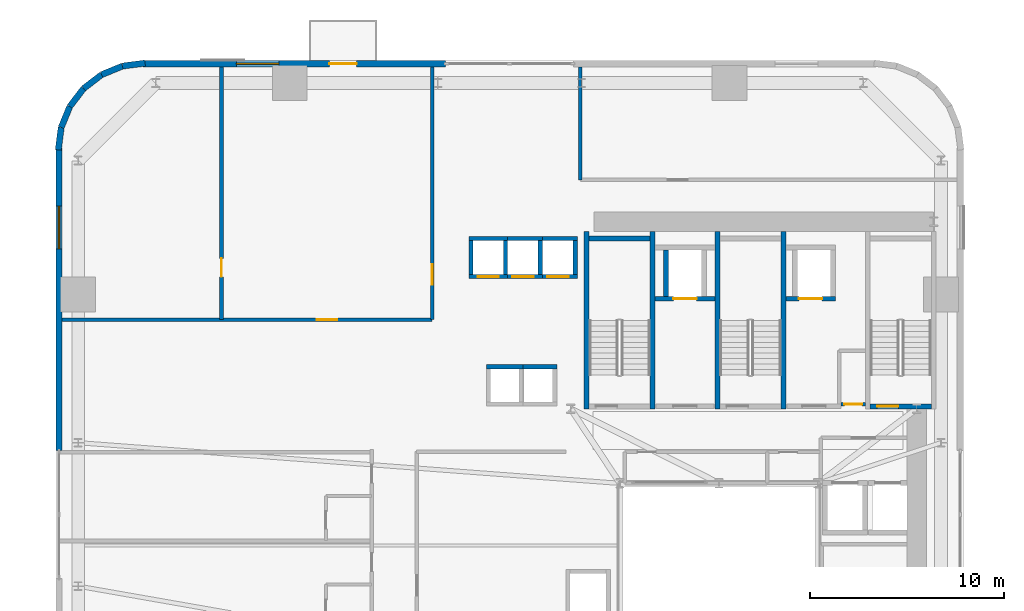
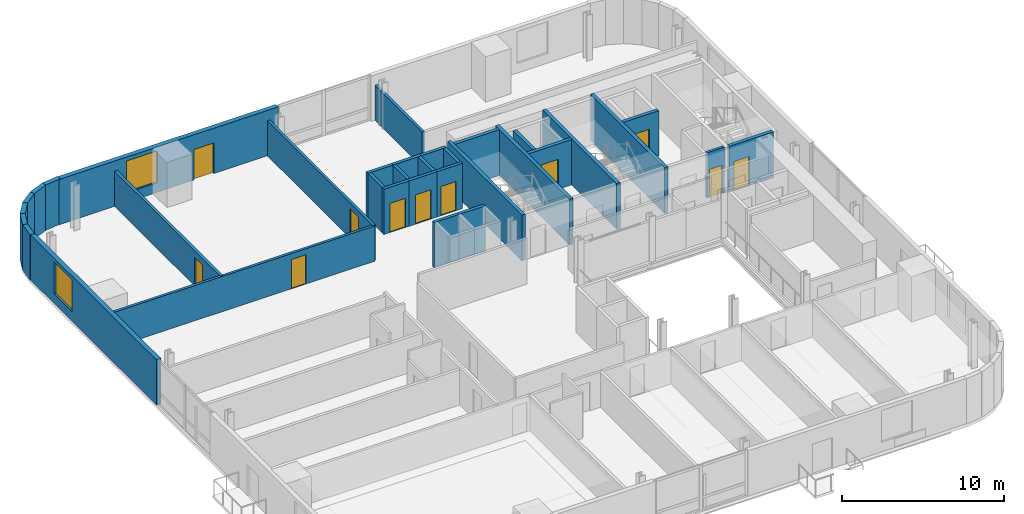
# One storey, part 8 of 13: 34 walls, 11 doors, 2 windows, 13 openings.
"""IFC4 building model written with IfcOpenShell, lengths in metres."""

from ifc_helpers import new_model, si_unit, direction, frame, frame_2d, origin, place, context, subcontext, project, spatial, rectangle, extrude, source, transform, mapped, material, layer, layer_set, type_object, element, fill, save


model = new_model("IFC4")

# Units and contexts
model_context = context("Model", 3, precision=1e-05, world=origin(), true_north=direction((0.0, 1.0)))
body_context = subcontext(model_context, "Body", "Model", "MODEL_VIEW")
ifc_project = project(units=[si_unit("LENGTHUNIT", "METRE"), si_unit("AREAUNIT", "SQUARE_METRE"), si_unit("VOLUMEUNIT", "CUBIC_METRE"), si_unit("PLANEANGLEUNIT", "RADIAN"), si_unit("MASSUNIT", "GRAM", prefix="KILO")], contexts=[model_context])

# Site, building, storey
site_placement = place(None, origin())
site = spatial("IfcSite", under=ifc_project, at=site_placement, CompositionType="ELEMENT")
building_placement = place(site_placement, origin())
building = spatial("IfcBuilding", under=site, at=building_placement, Name="Vardaveli Station Tower", CompositionType="ELEMENT")
storey_placement = place(building_placement, frame((0.0, 0.0, 38.550048828125)))
storey = spatial("IfcBuildingStorey", under=building, at=storey_placement, Name="L09", CompositionType="ELEMENT", Elevation=38.550048828125)

# Wall, openings, door, window
ifc_material_1 = material(Name="Precast concrete C45/55", Category="concrete")
ifc_layer_1 = layer(ifc_material_1, 0.320068359375, Name="Precast concrete C45/55")
ifc_layer_set_1 = layer_set([ifc_layer_1], Name="Precast concrete C45/55")
wall_type_1 = type_object("IfcWallType", Name="WAL-EXT-STONE-320", PredefinedType="SOLIDWALL", material=ifc_layer_set_1)
shared_shape_1 = source(origin(), body_context, "Body", "SweptSolid", [
    extrude(rectangle(XDim=15.599853515625, YDim=0.320068359375, at=frame_2d((7.7998046875, 0.0))), origin(), (0.0, 0.0, 1.0), 3.409912109375),
])
wall_1_placement = place(storey_placement, frame((22.199951171875, 48.43994140625, 0.0), z_axis=(0.0, 0.0, 1.0), x_axis=(-1.0, 0.0, 0.0)))
wall_1 = element("IfcWall", 1, at=wall_1_placement, inside=storey, type_object=wall_type_1, Name="EW-L09-N2", PredefinedType="SOLIDWALL", context=body_context, shape_type="MappedRepresentation", body=[
    mapped(shared_shape_1, transform((0.0, 0.0, 0.0), scale=1.0)),
])
shared_shape_2 = source(origin(), body_context, "Body", "SweptSolid", [
    extrude(rectangle(XDim=1.39990234375, YDim=2.300048828125, at=frame_2d((0.699951171875, 1.14990234375))), frame((0.0, 0.169921875, 0.0), z_axis=(0.0, -1.0, 0.0), x_axis=(1.0, 0.0, 0.0)), (0.0, 0.0, 1.0), 0.340087890625),
])
opening_1_placement = place(wall_1_placement, frame((4.589599609375, 0.0, 0.0)))
opening_1 = element("IfcOpeningElement", 2, at=opening_1_placement, cuts=wall_1, Name="Opening D-09", PredefinedType="OPENING", context=body_context, shape_type="MappedRepresentation", body=[
    mapped(shared_shape_2, transform((0.0, 0.0, 0.0), scale=1.0)),
])
shared_shape_3 = source(origin(), body_context, "Body", "SweptSolid", [
    extrude(rectangle(XDim=2.199951171875, YDim=2.39990234375, at=frame_2d((1.10009765625, 1.199951171875))), frame((0.0, 0.169921875, 0.0), z_axis=(0.0, -1.0, 0.0), x_axis=(1.0, 0.0, 0.0)), (0.0, 0.0, 1.0), 0.340087890625),
])
opening_2_placement = place(wall_1_placement, frame((8.594970703125, 0.0, 0.719970703125)))
opening_2 = element("IfcOpeningElement", 3, at=opening_2_placement, cuts=wall_1, Name="Opening W-03", PredefinedType="OPENING", context=body_context, shape_type="MappedRepresentation", body=[
    mapped(shared_shape_3, transform((0.0, 0.0, 0.0), scale=1.0)),
])
ifc_material_2 = material(Name="Thermally broken aluminium glass", Category="aluminium")
door_type_1 = type_object("IfcDoorType", Name="DR-LOG-1400x2300", OperationType="DOUBLE_DOOR_SLIDING", PredefinedType="DOOR", material=ifc_material_2)
shared_shape_4 = source(origin(), body_context, "Body", "SweptSolid", [
    extrude(rectangle(XDim=1.39990234375, YDim=2.300048828125, at=frame_2d((0.699951171875, 1.14990234375))), frame((0.0, 0.02490234375, 0.0), z_axis=(0.0, -1.0, 0.0), x_axis=(1.0, 0.0, 0.0)), (0.0, 0.0, 1.0), 0.050048828125),
])
door_1_placement = place(opening_1_placement, frame((1.39990234375, 0.0, 0.0), z_axis=(0.0, 0.0, 1.0), x_axis=(-1.0, 0.0, 0.0)))
door_1 = element("IfcDoor", 4, at=door_1_placement, inside=storey, type_object=door_type_1, Name="DLG-L09-N", OperationType="DOUBLE_DOOR_SLIDING", OverallHeight=2.300048828125, OverallWidth=1.39990234375, PredefinedType="DOOR", context=body_context, shape_type="MappedRepresentation", body=[
    mapped(shared_shape_4, transform((0.0, 0.0, 0.0), scale=1.0)),
])
fill(opening_1, door_1)
ifc_material_3 = material(Name="Low-E solar-control glass", Category="glass")
window_type = type_object("IfcWindowType", Name="WIN-LOG-2200x2400", PartitioningType="SINGLE_PANEL", PredefinedType="WINDOW", material=ifc_material_3)
shared_shape_5 = source(origin(), body_context, "Body", "SweptSolid", [
    extrude(rectangle(XDim=2.199951171875, YDim=2.39990234375, at=frame_2d((1.10009765625, 1.199951171875))), frame((0.0, 0.030029296875, 0.0), z_axis=(0.0, -1.0, 0.0), x_axis=(1.0, 0.0, 0.0)), (0.0, 0.0, 1.0), 0.06005859375),
])
window_1_placement = place(opening_2_placement, origin())
window_1 = element("IfcWindow", 5, at=window_1_placement, inside=storey, type_object=window_type, Name="WN-L09-N2", OverallHeight=2.39990234375, OverallWidth=2.199951171875, PartitioningType="SINGLE_PANEL", PredefinedType="WINDOW", context=body_context, shape_type="MappedRepresentation", body=[
    mapped(shared_shape_5, transform((0.0, 0.0, 0.0), scale=1.0)),
])
fill(opening_2, window_1)

# Wall, opening, window
shared_shape_6 = source(origin(), body_context, "Body", "SweptSolid", [
    extrude(rectangle(XDim=15.60009765625, YDim=0.320068359375, at=frame_2d((7.800048828125, 0.0))), origin(), (0.0, 0.0, 1.0), 3.409912109375),
])
wall_2_placement = place(storey_placement, frame((2.260009765625, 44.10009765625, 0.0), z_axis=(0.0, 0.0, 1.0), x_axis=(0.0, -1.0, 0.0)))
wall_2 = element("IfcWall", 6, at=wall_2_placement, inside=storey, type_object=wall_type_1, Name="EW-L09-W1", PredefinedType="SOLIDWALL", context=body_context, shape_type="MappedRepresentation", body=[
    mapped(shared_shape_6, transform((0.0, 0.0, 0.0), scale=1.0)),
])
opening_3_placement = place(wall_2_placement, frame((3.0048828125, 0.0, 0.719970703125)))
opening_3 = element("IfcOpeningElement", 7, at=opening_3_placement, cuts=wall_2, Name="Opening W-03", PredefinedType="OPENING", context=body_context, shape_type="MappedRepresentation", body=[
    mapped(shared_shape_3, transform((0.0, 0.0, 0.0), scale=1.0)),
])
window_2_placement = place(opening_3_placement, origin())
window_2 = element("IfcWindow", 8, at=window_2_placement, inside=storey, type_object=window_type, Name="WN-L09-W1", OverallHeight=2.39990234375, OverallWidth=2.199951171875, PartitioningType="SINGLE_PANEL", PredefinedType="WINDOW", context=body_context, shape_type="MappedRepresentation", body=[
    mapped(shared_shape_5, transform((0.0, 0.0, 0.0), scale=1.0)),
])
fill(opening_3, window_2)

# Walls
shared_shape_7 = source(origin(), body_context, "Body", "SweptSolid", [
    extrude(rectangle(XDim=1.1689453125, YDim=0.320068359375, at=frame_2d((0.58447265625, 0.0))), origin(), (0.0, 0.0, 1.0), 3.409912109375),
])
wall_3_placement = place(storey_placement, frame((3.53125, 47.1689453125, 0.0), z_axis=(0.0, 0.0, 1.0), x_axis=(-0.608387696831, -0.793639975269, 0.0)))
element("IfcWall", 9, at=wall_3_placement, inside=storey, type_object=wall_type_1, Name="EW-L09-CR4-4", PredefinedType="SOLIDWALL", context=body_context, shape_type="MappedRepresentation", body=[
    mapped(shared_shape_7, transform((0.0, 0.0, 0.0), scale=1.0)),
])
shared_shape_8 = source(origin(), body_context, "Body", "SweptSolid", [
    extrude(rectangle(XDim=1.168701171875, YDim=0.320068359375, at=frame_2d((0.58447265625, 0.0))), origin(), (0.0, 0.0, 1.0), 3.409912109375),
])
wall_4_placement = place(storey_placement, frame((4.458740234375, 47.8798828125, 0.0), z_axis=(0.0, 0.0, 1.0), x_axis=(-0.793663520347, -0.608356981114, 0.0)))
element("IfcWall", 10, at=wall_4_placement, inside=storey, type_object=wall_type_1, Name="EW-L09-CR4-3", PredefinedType="SOLIDWALL", context=body_context, shape_type="MappedRepresentation", body=[
    mapped(shared_shape_8, transform((0.0, 0.0, 0.0), scale=1.0)),
])
shared_shape_9 = source(origin(), body_context, "Body", "SweptSolid", [
    extrude(rectangle(XDim=1.17041015625, YDim=0.320068359375, at=frame_2d((0.585205078125, 0.0))), origin(), (0.0, 0.0, 1.0), 3.409912109375),
])
for number, where, z_axis, x_axis, name in (
    (11, (6.700439453125, 48.4755859375, 0.0), (0.0, 0.0, 1.0), (-0.991735963317, -0.128295670475, 0.0), "EW-L09-CR4-1"),
    (12, (2.37451171875, 45.16015625, 0.0), (0.0, 0.0, 1.0), (-0.128295670475, -0.991735963317, 0.0), "EW-L09-CR4-6"),
):
    element("IfcWall", number, at=place(storey_placement, frame(where, z_axis=z_axis, x_axis=x_axis)), inside=storey, type_object=wall_type_1, Name=name, PredefinedType="SOLIDWALL", context=body_context, shape_type="MappedRepresentation", body=[
        mapped(shared_shape_9, transform((0.0, 0.0, 0.0), scale=1.0)),
    ])
shared_shape_10 = source(origin(), body_context, "Body", "SweptSolid", [
    extrude(rectangle(XDim=1.169189453125, YDim=0.320068359375, at=frame_2d((0.58447265625, 0.0))), origin(), (0.0, 0.0, 1.0), 3.409912109375),
])
for number, where, z_axis, x_axis, name in (
    (13, (5.539794921875, 48.325439453125, 0.0), (0.0, 0.0, 1.0), (-0.924552646638, -0.381054331552, 0.0), "EW-L09-CR4-2"),
    (14, (2.820068359375, 46.2412109375, 0.0), (0.0, 0.0, 1.0), (-0.381054331552, -0.924552646638, 0.0), "EW-L09-CR4-5"),
):
    element("IfcWall", number, at=place(storey_placement, frame(where, z_axis=z_axis, x_axis=x_axis)), inside=storey, type_object=wall_type_1, Name=name, PredefinedType="SOLIDWALL", context=body_context, shape_type="MappedRepresentation", body=[
        mapped(shared_shape_10, transform((0.0, 0.0, 0.0), scale=1.0)),
    ])
ifc_material_4 = material(Name="Concrete C40/50", Category="concrete")
ifc_layer_2 = layer(ifc_material_4, 0.25, Name="Concrete C40/50")
ifc_layer_set_2 = layer_set([ifc_layer_2], Name="Concrete C40/50")
wall_type_2 = type_object("IfcWallType", Name="WAL-SHAFT-250", PredefinedType="SOLIDWALL", material=ifc_layer_set_2)
shared_shape_11 = source(origin(), body_context, "Body", "SweptSolid", [
    extrude(rectangle(XDim=9.150146484375, YDim=0.25, at=frame_2d((4.5751953125, 0.0))), origin(), (0.0, 0.0, 1.0), 3.449951171875),
])
for number, where, z_axis, x_axis, name in (
    (15, (29.47509765625, 30.64990234375, 0.0), (0.0, 0.0, 1.0), (0.0, 1.0, 0.0), "W-L09-ST-1W"),
    (16, (32.875, 30.64990234375, 0.0), (0.0, 0.0, 1.0), (0.0, 1.0, 0.0), "W-L09-ST-1E"),
    (17, (36.22509765625, 30.64990234375, 0.0), (0.0, 0.0, 1.0), (0.0, 1.0, 0.0), "W-L09-ST-2W"),
    (18, (39.625, 30.64990234375, 0.0), (0.0, 0.0, 1.0), (0.0, 1.0, 0.0), "W-L09-ST-2E"),
):
    element("IfcWall", number, at=place(storey_placement, frame(where, z_axis=z_axis, x_axis=x_axis)), inside=storey, type_object=wall_type_2, Name=name, PredefinedType="SOLIDWALL", context=body_context, shape_type="MappedRepresentation", body=[
        mapped(shared_shape_11, transform((0.0, 0.0, 0.0), scale=1.0)),
    ])
shared_shape_12 = source(origin(), body_context, "Body", "SweptSolid", [
    extrude(rectangle(XDim=3.14990234375, YDim=0.25, at=frame_2d((1.574951171875, 0.0))), origin(), (0.0, 0.0, 1.0), 3.449951171875),
])
wall_5_placement = place(storey_placement, frame((29.60009765625, 39.425048828125, 0.0), z_axis=(0.0, 0.0, 1.0), x_axis=(1.0, 0.0, 0.0)))
element("IfcWall", 19, at=wall_5_placement, inside=storey, type_object=wall_type_2, Name="W-L09-ST-1N", PredefinedType="SOLIDWALL", context=body_context, shape_type="MappedRepresentation", body=[
    mapped(shared_shape_12, transform((0.0, 0.0, 0.0), scale=1.0)),
])

# Wall, opening, door
wall_6_placement = place(storey_placement, frame((44.10009765625, 30.77490234375, 0.0), z_axis=(0.0, 0.0, 1.0), x_axis=(1.0, 0.0, 0.0)))
wall_6 = element("IfcWall", 20, at=wall_6_placement, inside=storey, type_object=wall_type_2, Name="W-L09-ST-3S", PredefinedType="SOLIDWALL", context=body_context, shape_type="MappedRepresentation", body=[
    mapped(shared_shape_12, transform((0.0, 0.0, 0.0), scale=1.0)),
])
shared_shape_13 = source(origin(), body_context, "Body", "SweptSolid", [
    extrude(rectangle(XDim=1.10009765625, YDim=2.199951171875, at=frame_2d((0.550048828125, 1.10009765625))), frame((0.0, 0.135009765625, 0.0), z_axis=(0.0, -1.0, 0.0), x_axis=(1.0, 0.0, 0.0)), (0.0, 0.0, 1.0), 0.27001953125),
])
opening_4_placement = place(wall_6_placement, frame((0.35009765625, 0.0, 0.0)))
opening_4 = element("IfcOpeningElement", 21, at=opening_4_placement, cuts=wall_6, Name="Opening D-04", PredefinedType="OPENING", context=body_context, shape_type="MappedRepresentation", body=[
    mapped(shared_shape_13, transform((0.0, 0.0, 0.0), scale=1.0)),
])
ifc_material_5 = material(Name="Steel smokeproof fire doorset", Category="steel")
door_type_2 = type_object("IfcDoorType", Name="DR-ST-1100x2200", OperationType="NOTDEFINED", PredefinedType="DOOR", material=ifc_material_5)
shared_shape_14 = source(origin(), body_context, "Body", "SweptSolid", [
    extrude(rectangle(XDim=1.10009765625, YDim=2.199951171875, at=frame_2d((0.550048828125, 1.10009765625))), frame((0.0, 0.02490234375, 0.0), z_axis=(0.0, -1.0, 0.0), x_axis=(1.0, 0.0, 0.0)), (0.0, 0.0, 1.0), 0.050048828125),
])
door_2_placement = place(opening_4_placement, origin())
door_2 = element("IfcDoor", 22, at=door_2_placement, inside=storey, type_object=door_type_2, Name="DST-3-L09", OperationType="SINGLE_SWING_LEFT", OverallHeight=2.199951171875, OverallWidth=1.10009765625, PredefinedType="DOOR", context=body_context, shape_type="MappedRepresentation", body=[
    mapped(shared_shape_14, transform((0.0, 0.0, 0.0), scale=1.0)),
])
fill(opening_4, door_2)

# Walls
ifc_layer_3 = layer(ifc_material_4, 0.219970703125, Name="Concrete C40/50")
ifc_layer_set_3 = layer_set([ifc_layer_3], Name="Concrete C40/50")
wall_type_3 = type_object("IfcWallType", Name="WAL-FFLOBBY-220", PredefinedType="SOLIDWALL", material=ifc_layer_set_3)
shared_shape_15 = source(origin(), body_context, "Body", "SweptSolid", [
    extrude(rectangle(XDim=1.75, YDim=0.219970703125, at=frame_2d((0.875, 0.0))), origin(), (0.0, 0.0, 1.0), 3.409912109375),
])
for number, where, z_axis, x_axis, name in (
    (23, (23.514892578125, 37.574951171875, 0.0), (0.0, 0.0, 1.0), (0.0, 1.0, 0.0), "SHW-HL1-01-L09-W"),
    (24, (25.284912109375, 37.574951171875, 0.0), (0.0, 0.0, 1.0), (0.0, 1.0, 0.0), "SHW-HL1-01-L09-E"),
    (25, (27.0849609375, 37.574951171875, 0.0), (0.0, 0.0, 1.0), (0.0, 1.0, 0.0), "SHW-HL1-02-L09-E"),
    (26, (28.885009765625, 37.574951171875, 0.0), (0.0, 0.0, 1.0), (0.0, 1.0, 0.0), "SHW-HL1-03-L09-E"),
):
    element("IfcWall", number, at=place(storey_placement, frame(where, z_axis=z_axis, x_axis=x_axis)), inside=storey, type_object=wall_type_3, Name=name, PredefinedType="SOLIDWALL", context=body_context, shape_type="MappedRepresentation", body=[
        mapped(shared_shape_15, transform((0.0, 0.0, 0.0), scale=1.0)),
    ])

# Wall, opening, door
shared_shape_16 = source(origin(), body_context, "Body", "SweptSolid", [
    extrude(rectangle(XDim=1.989990234375, YDim=0.219970703125, at=frame_2d((0.9951171875, 0.0))), origin(), (0.0, 0.0, 1.0), 3.409912109375),
])
wall_7_placement = place(storey_placement, frame((23.405029296875, 37.465087890625, 0.0), z_axis=(0.0, 0.0, 1.0), x_axis=(1.0, 0.0, 0.0)))
wall_7 = element("IfcWall", 27, at=wall_7_placement, inside=storey, type_object=wall_type_3, Name="SHW-HL1-01-L09-S", PredefinedType="SOLIDWALL", context=body_context, shape_type="MappedRepresentation", body=[
    mapped(shared_shape_16, transform((0.0, 0.0, 0.0), scale=1.0)),
])
shared_shape_17 = source(origin(), body_context, "Body", "SweptSolid", [
    extrude(rectangle(XDim=1.10009765625, YDim=2.199951171875, at=frame_2d((0.550048828125, 1.10009765625))), frame((0.0, 0.1201171875, 0.0), z_axis=(0.0, -1.0, 0.0), x_axis=(1.0, 0.0, 0.0)), (0.0, 0.0, 1.0), 0.239990234375),
])
opening_5_placement = place(wall_7_placement, frame((0.445068359375, 0.0, 0.0)))
opening_5 = element("IfcOpeningElement", 28, at=opening_5_placement, cuts=wall_7, Name="Opening LD-01", PredefinedType="OPENING", context=body_context, shape_type="MappedRepresentation", body=[
    mapped(shared_shape_17, transform((0.0, 0.0, 0.0), scale=1.0)),
])
ifc_material_6 = material(Name="Brushed stainless steel", Category="steel")
door_type_3 = type_object("IfcDoorType", Name="DR-LD-1100x2200", OperationType="DOUBLE_DOOR_SLIDING", PredefinedType="DOOR", material=ifc_material_6)
door_3_placement = place(opening_5_placement, origin())
door_3 = element("IfcDoor", 29, at=door_3_placement, inside=storey, type_object=door_type_3, Name="LD-HL1-01-L09", OperationType="DOUBLE_DOOR_SLIDING", OverallHeight=2.199951171875, OverallWidth=1.10009765625, PredefinedType="DOOR", context=body_context, shape_type="MappedRepresentation", body=[
    mapped(shared_shape_14, transform((0.0, 0.0, 0.0), scale=1.0)),
])
fill(opening_5, door_3)

# Wall
wall_8_placement = place(storey_placement, frame((23.405029296875, 39.43505859375, 0.0), z_axis=(0.0, 0.0, 1.0), x_axis=(1.0, 0.0, 0.0)))
element("IfcWall", 30, at=wall_8_placement, inside=storey, type_object=wall_type_3, Name="SHW-HL1-01-L09-N", PredefinedType="SOLIDWALL", context=body_context, shape_type="MappedRepresentation", body=[
    mapped(shared_shape_16, transform((0.0, 0.0, 0.0), scale=1.0)),
])

# Wall, opening, door
wall_9_placement = place(storey_placement, frame((25.205078125, 37.465087890625, 0.0), z_axis=(0.0, 0.0, 1.0), x_axis=(1.0, 0.0, 0.0)))
wall_9 = element("IfcWall", 31, at=wall_9_placement, inside=storey, type_object=wall_type_3, Name="SHW-HL1-02-L09-S", PredefinedType="SOLIDWALL", context=body_context, shape_type="MappedRepresentation", body=[
    mapped(shared_shape_16, transform((0.0, 0.0, 0.0), scale=1.0)),
])
opening_6_placement = place(wall_9_placement, frame((0.445068359375, 0.0, 0.0)))
opening_6 = element("IfcOpeningElement", 32, at=opening_6_placement, cuts=wall_9, Name="Opening LD-01", PredefinedType="OPENING", context=body_context, shape_type="MappedRepresentation", body=[
    mapped(shared_shape_17, transform((0.0, 0.0, 0.0), scale=1.0)),
])
door_4_placement = place(opening_6_placement, origin())
door_4 = element("IfcDoor", 33, at=door_4_placement, inside=storey, type_object=door_type_3, Name="LD-HL1-02-L09", OperationType="DOUBLE_DOOR_SLIDING", OverallHeight=2.199951171875, OverallWidth=1.10009765625, PredefinedType="DOOR", context=body_context, shape_type="MappedRepresentation", body=[
    mapped(shared_shape_14, transform((0.0, 0.0, 0.0), scale=1.0)),
])
fill(opening_6, door_4)

# Wall
wall_10_placement = place(storey_placement, frame((25.205078125, 39.43505859375, 0.0), z_axis=(0.0, 0.0, 1.0), x_axis=(1.0, 0.0, 0.0)))
element("IfcWall", 34, at=wall_10_placement, inside=storey, type_object=wall_type_3, Name="SHW-HL1-02-L09-N", PredefinedType="SOLIDWALL", context=body_context, shape_type="MappedRepresentation", body=[
    mapped(shared_shape_16, transform((0.0, 0.0, 0.0), scale=1.0)),
])

# Wall, opening, door
shared_shape_18 = source(origin(), body_context, "Body", "SweptSolid", [
    extrude(rectangle(XDim=1.990234375, YDim=0.219970703125, at=frame_2d((0.9951171875, 0.0))), origin(), (0.0, 0.0, 1.0), 3.409912109375),
])
wall_11_placement = place(storey_placement, frame((27.0048828125, 37.465087890625, 0.0), z_axis=(0.0, 0.0, 1.0), x_axis=(1.0, 0.0, 0.0)))
wall_11 = element("IfcWall", 35, at=wall_11_placement, inside=storey, type_object=wall_type_3, Name="SHW-HL1-03-L09-S", PredefinedType="SOLIDWALL", context=body_context, shape_type="MappedRepresentation", body=[
    mapped(shared_shape_18, transform((0.0, 0.0, 0.0), scale=1.0)),
])
opening_7_placement = place(wall_11_placement, frame((0.445068359375, 0.0, 0.0)))
opening_7 = element("IfcOpeningElement", 36, at=opening_7_placement, cuts=wall_11, Name="Opening LD-01", PredefinedType="OPENING", context=body_context, shape_type="MappedRepresentation", body=[
    mapped(shared_shape_17, transform((0.0, 0.0, 0.0), scale=1.0)),
])
door_5_placement = place(opening_7_placement, origin())
door_5 = element("IfcDoor", 37, at=door_5_placement, inside=storey, type_object=door_type_3, Name="LD-HL1-03-L09", OperationType="DOUBLE_DOOR_SLIDING", OverallHeight=2.199951171875, OverallWidth=1.10009765625, PredefinedType="DOOR", context=body_context, shape_type="MappedRepresentation", body=[
    mapped(shared_shape_14, transform((0.0, 0.0, 0.0), scale=1.0)),
])
fill(opening_7, door_5)

# Wall
wall_12_placement = place(storey_placement, frame((27.0048828125, 39.43505859375, 0.0), z_axis=(0.0, 0.0, 1.0), x_axis=(1.0, 0.0, 0.0)))
element("IfcWall", 38, at=wall_12_placement, inside=storey, type_object=wall_type_3, Name="SHW-HL1-03-L09-N", PredefinedType="SOLIDWALL", context=body_context, shape_type="MappedRepresentation", body=[
    mapped(shared_shape_18, transform((0.0, 0.0, 0.0), scale=1.0)),
])

# Wall, opening, door
shared_shape_19 = source(origin(), body_context, "Body", "SweptSolid", [
    extrude(rectangle(XDim=3.10009765625, YDim=0.25, at=frame_2d((1.550048828125, 0.0))), origin(), (0.0, 0.0, 1.0), 3.409912109375),
])
wall_13_placement = place(storey_placement, frame((33.0, 36.324951171875, 0.0), z_axis=(0.0, 0.0, 1.0), x_axis=(1.0, 0.0, 0.0)))
wall_13 = element("IfcWall", 39, at=wall_13_placement, inside=storey, type_object=wall_type_2, Name="SHW-FFL-01-L09-S", PredefinedType="SOLIDWALL", context=body_context, shape_type="MappedRepresentation", body=[
    mapped(shared_shape_19, transform((0.0, 0.0, 0.0), scale=1.0)),
])
shared_shape_20 = source(origin(), body_context, "Body", "SweptSolid", [
    extrude(rectangle(XDim=1.199951171875, YDim=2.25, at=frame_2d((0.60009765625, 1.125))), frame((0.0, 0.135009765625, 0.0), z_axis=(0.0, -1.0, 0.0), x_axis=(1.0, 0.0, 0.0)), (0.0, 0.0, 1.0), 0.27001953125),
])
opening_8_placement = place(wall_13_placement, frame((0.949951171875, 0.0, 0.0)))
opening_8 = element("IfcOpeningElement", 40, at=opening_8_placement, cuts=wall_13, Name="Opening LD-02", PredefinedType="OPENING", context=body_context, shape_type="MappedRepresentation", body=[
    mapped(shared_shape_20, transform((0.0, 0.0, 0.0), scale=1.0)),
])
door_type_4 = type_object("IfcDoorType", Name="DR-LD-1200x2250", OperationType="DOUBLE_DOOR_SLIDING", PredefinedType="DOOR", material=ifc_material_6)
shared_shape_21 = source(origin(), body_context, "Body", "SweptSolid", [
    extrude(rectangle(XDim=1.199951171875, YDim=2.25, at=frame_2d((0.60009765625, 1.125))), frame((0.0, 0.02490234375, 0.0), z_axis=(0.0, -1.0, 0.0), x_axis=(1.0, 0.0, 0.0)), (0.0, 0.0, 1.0), 0.050048828125),
])
door_6_placement = place(opening_8_placement, origin())
door_6 = element("IfcDoor", 41, at=door_6_placement, inside=storey, type_object=door_type_4, Name="LD-FFL-01-L09", OperationType="DOUBLE_DOOR_SLIDING", OverallHeight=2.25, OverallWidth=1.199951171875, PredefinedType="DOOR", context=body_context, shape_type="MappedRepresentation", body=[
    mapped(shared_shape_21, transform((0.0, 0.0, 0.0), scale=1.0)),
])
fill(opening_8, door_6)

# Wall
shared_shape_22 = source(origin(), body_context, "Body", "SweptSolid", [
    extrude(rectangle(XDim=2.400146484375, YDim=0.25, at=frame_2d((1.2001953125, 0.0))), origin(), (0.0, 0.0, 1.0), 3.409912109375),
])
wall_14_placement = place(storey_placement, frame((33.574951171875, 36.449951171875, 0.0), z_axis=(0.0, 0.0, 1.0), x_axis=(0.0, 1.0, 0.0)))
element("IfcWall", 42, at=wall_14_placement, inside=storey, type_object=wall_type_2, Name="SHW-FFL-01-L09-W", PredefinedType="SOLIDWALL", context=body_context, shape_type="MappedRepresentation", body=[
    mapped(shared_shape_22, transform((0.0, 0.0, 0.0), scale=1.0)),
])

# Wall, opening, door
shared_shape_23 = source(origin(), body_context, "Body", "SweptSolid", [
    extrude(rectangle(XDim=2.550048828125, YDim=0.25, at=frame_2d((1.27490234375, 0.0))), origin(), (0.0, 0.0, 1.0), 3.409912109375),
])
wall_15_placement = place(storey_placement, frame((39.75, 36.324951171875, 0.0), z_axis=(0.0, 0.0, 1.0), x_axis=(1.0, 0.0, 0.0)))
wall_15 = element("IfcWall", 43, at=wall_15_placement, inside=storey, type_object=wall_type_2, Name="SHW-FFL-02-L09-S", PredefinedType="SOLIDWALL", context=body_context, shape_type="MappedRepresentation", body=[
    mapped(shared_shape_23, transform((0.0, 0.0, 0.0), scale=1.0)),
])
opening_9_placement = place(wall_15_placement, frame((0.675048828125, 0.0, 0.0)))
opening_9 = element("IfcOpeningElement", 44, at=opening_9_placement, cuts=wall_15, Name="Opening LD-02", PredefinedType="OPENING", context=body_context, shape_type="MappedRepresentation", body=[
    mapped(shared_shape_20, transform((0.0, 0.0, 0.0), scale=1.0)),
])
door_7_placement = place(opening_9_placement, origin())
door_7 = element("IfcDoor", 45, at=door_7_placement, inside=storey, type_object=door_type_4, Name="LD-FFL-02-L09", OperationType="DOUBLE_DOOR_SLIDING", OverallHeight=2.25, OverallWidth=1.199951171875, PredefinedType="DOOR", context=body_context, shape_type="MappedRepresentation", body=[
    mapped(shared_shape_21, transform((0.0, 0.0, 0.0), scale=1.0)),
])
fill(opening_9, door_7)

# Walls
shared_shape_24 = source(origin(), body_context, "Body", "SweptSolid", [
    extrude(rectangle(XDim=1.89013671875, YDim=0.219970703125, at=frame_2d((0.945068359375, 0.0))), origin(), (0.0, 0.0, 1.0), 3.409912109375),
])
for number, where, z_axis, x_axis, name in (
    (46, (24.304931640625, 32.81005859375, 0.0), (0.0, 0.0, 1.0), (1.0, 0.0, 0.0), "SHW-SHU-01-L09-N"),
    (47, (26.054931640625, 32.81005859375, 0.0), (0.0, 0.0, 1.0), (1.0, 0.0, 0.0), "SHW-SHU-02-L09-N"),
):
    element("IfcWall", number, at=place(storey_placement, frame(where, z_axis=z_axis, x_axis=x_axis)), inside=storey, type_object=wall_type_3, Name=name, PredefinedType="SOLIDWALL", context=body_context, shape_type="MappedRepresentation", body=[
        mapped(shared_shape_24, transform((0.0, 0.0, 0.0), scale=1.0)),
    ])

# Wall, opening, door
ifc_material_7 = material(Name="Fire-rated gypsum stud partition")
ifc_layer_4 = layer(ifc_material_7, 0.179931640625, Name="Fire-rated gypsum stud partition")
ifc_layer_set_4 = layer_set([ifc_layer_4], Name="Fire-rated gypsum stud partition")
wall_type_4 = type_object("IfcWallType", Name="WAL-CORR-180", PredefinedType="PARTITIONING", material=ifc_layer_set_4)
shared_shape_25 = source(origin(), body_context, "Body", "SweptSolid", [
    extrude(rectangle(XDim=19.077880859375, YDim=0.179931640625, at=frame_2d((9.5390625, 0.0))), origin(), (0.0, 0.0, 1.0), 2.65185546875),
])
wall_16_placement = place(storey_placement, frame((2.422119140625, 35.25, 0.0), z_axis=(0.0, 0.0, 1.0), x_axis=(1.0, 0.0, 0.0)))
wall_16 = element("IfcWall", 48, at=wall_16_placement, inside=storey, type_object=wall_type_4, Name="W-L09-CNWS", PredefinedType="PARTITIONING", context=body_context, shape_type="MappedRepresentation", body=[
    mapped(shared_shape_25, transform((0.0, 0.0, 0.0), scale=1.0)),
])
shared_shape_26 = source(origin(), body_context, "Body", "SweptSolid", [
    extrude(rectangle(XDim=1.050048828125, YDim=2.199951171875, at=frame_2d((0.52490234375, 1.10009765625))), frame((0.0, 0.10009765625, 0.0), z_axis=(0.0, -1.0, 0.0), x_axis=(1.0, 0.0, 0.0)), (0.0, 0.0, 1.0), 0.199951171875),
])
opening_10_placement = place(wall_16_placement, frame((13.12890625, 0.0, 0.0)))
opening_10 = element("IfcOpeningElement", 49, at=opening_10_placement, cuts=wall_16, Name="Opening D-05", PredefinedType="OPENING", context=body_context, shape_type="MappedRepresentation", body=[
    mapped(shared_shape_26, transform((0.0, 0.0, 0.0), scale=1.0)),
])
ifc_material_8 = material(Name="Walnut veneer acoustic fire door")
door_type_5 = type_object("IfcDoorType", Name="DR-SUITE-1050x2200", OperationType="NOTDEFINED", PredefinedType="DOOR", material=ifc_material_8)
shared_shape_27 = source(origin(), body_context, "Body", "SweptSolid", [
    extrude(rectangle(XDim=1.050048828125, YDim=2.199951171875, at=frame_2d((0.52490234375, 1.10009765625))), frame((0.0, 0.02490234375, 0.0), z_axis=(0.0, -1.0, 0.0), x_axis=(1.0, 0.0, 0.0)), (0.0, 0.0, 1.0), 0.050048828125),
])
door_8_placement = place(opening_10_placement, origin())
door_8 = element("IfcDoor", 50, at=door_8_placement, inside=storey, type_object=door_type_5, Name="D-L09-GNW2", OperationType="SINGLE_SWING_LEFT", OverallHeight=2.199951171875, OverallWidth=1.050048828125, PredefinedType="DOOR", context=body_context, shape_type="MappedRepresentation", body=[
    mapped(shared_shape_27, transform((0.0, 0.0, 0.0), scale=1.0)),
])
fill(opening_10, door_8)

shared_shape_28 = source(origin(), body_context, "Body", "SweptSolid", [
    extrude(rectangle(XDim=1.247802734375, YDim=0.179931640625, at=frame_2d((0.6240234375, 0.0))), origin(), (0.0, 0.0, 1.0), 3.409912109375),
])
wall_17_placement = place(storey_placement, frame((42.60009765625, 30.8798828125, 0.0), z_axis=(0.0, 0.0, 1.0), x_axis=(1.0, 0.0, 0.0)))
wall_17 = element("IfcWall", 51, at=wall_17_placement, inside=storey, type_object=wall_type_4, Name="W-L09-CBS0-S", PredefinedType="PARTITIONING", context=body_context, shape_type="MappedRepresentation", body=[
    mapped(shared_shape_28, transform((0.0, 0.0, 0.0), scale=1.0)),
])
shared_shape_29 = source(origin(), body_context, "Body", "SweptSolid", [
    extrude(rectangle(XDim=0.919921875, YDim=2.10009765625, at=frame_2d((0.4599609375, 1.050048828125))), frame((0.0, 0.10009765625, 0.0), z_axis=(0.0, -1.0, 0.0), x_axis=(1.0, 0.0, 0.0)), (0.0, 0.0, 1.0), 0.199951171875),
])
opening_11_placement = place(wall_17_placement, frame((0.1640625, 0.0, 0.0)))
opening_11 = element("IfcOpeningElement", 52, at=opening_11_placement, cuts=wall_17, Name="Opening D-07", PredefinedType="OPENING", context=body_context, shape_type="MappedRepresentation", body=[
    mapped(shared_shape_29, transform((0.0, 0.0, 0.0), scale=1.0)),
])
ifc_material_9 = material(Name="Moisture-resistant hardwood door", Category="wood")
door_type_6 = type_object("IfcDoorType", Name="DR-WC-920x2100", OperationType="NOTDEFINED", PredefinedType="DOOR", material=ifc_material_9)
shared_shape_30 = source(origin(), body_context, "Body", "SweptSolid", [
    extrude(rectangle(XDim=0.919921875, YDim=2.10009765625, at=frame_2d((0.4599609375, 1.050048828125))), frame((0.0, 0.02490234375, 0.0), z_axis=(0.0, -1.0, 0.0), x_axis=(1.0, 0.0, 0.0)), (0.0, 0.0, 1.0), 0.050048828125),
])
door_9_placement = place(opening_11_placement, origin())
door_9 = element("IfcDoor", 53, at=door_9_placement, inside=storey, type_object=door_type_6, Name="D-L09-CBS0", OperationType="SINGLE_SWING_LEFT", OverallHeight=2.10009765625, OverallWidth=0.919921875, PredefinedType="DOOR", context=body_context, shape_type="MappedRepresentation", body=[
    mapped(shared_shape_30, transform((0.0, 0.0, 0.0), scale=1.0)),
])
fill(opening_11, door_9)

# Wall
shared_shape_31 = source(origin(), body_context, "Body", "SweptSolid", [
    extrude(rectangle(XDim=5.828125, YDim=0.179931640625, at=frame_2d((2.9140625, 0.0))), origin(), (0.0, 0.0, 1.0), 2.65185546875),
])
wall_18_placement = place(storey_placement, frame((29.14990234375, 42.449951171875, 0.0), z_axis=(0.0, 0.0, 1.0), x_axis=(0.0, 1.0, 0.0)))
element("IfcWall", 54, at=wall_18_placement, inside=storey, type_object=wall_type_4, Name="W-L09-NPW", PredefinedType="PARTITIONING", context=body_context, shape_type="MappedRepresentation", body=[
    mapped(shared_shape_31, transform((0.0, 0.0, 0.0), scale=1.0)),
])

# Wall, opening, door
ifc_material_10 = material(Name="Acoustic twin-stud gypsum partition")
ifc_layer_5 = layer(ifc_material_10, 0.199951171875, Name="Acoustic twin-stud gypsum partition")
ifc_layer_set_5 = layer_set([ifc_layer_5], Name="Acoustic twin-stud gypsum partition")
wall_type_5 = type_object("IfcWallType", Name="WAL-PARTY-200", PredefinedType="PARTITIONING", material=ifc_layer_set_5)
shared_shape_32 = source(origin(), body_context, "Body", "SweptSolid", [
    extrude(rectangle(XDim=13.028076171875, YDim=0.199951171875, at=frame_2d((6.51416015625, 0.0))), origin(), (0.0, 0.0, 1.0), 2.65185546875),
])
wall_19_placement = place(storey_placement, frame((10.64208984375, 35.25, 0.0), z_axis=(0.0, 0.0, 1.0), x_axis=(0.0, 1.0, 0.0)))
wall_19 = element("IfcWall", 55, at=wall_19_placement, inside=storey, type_object=wall_type_5, Name="W-L09-PNW1", PredefinedType="PARTITIONING", context=body_context, shape_type="MappedRepresentation", body=[
    mapped(shared_shape_32, transform((0.0, 0.0, 0.0), scale=1.0)),
])
shared_shape_33 = source(origin(), body_context, "Body", "SweptSolid", [
    extrude(rectangle(XDim=0.949951171875, YDim=2.14990234375, at=frame_2d((0.47509765625, 1.074951171875))), frame((0.0, 0.10986328125, 0.0), z_axis=(0.0, -1.0, 0.0), x_axis=(1.0, 0.0, 0.0)), (0.0, 0.0, 1.0), 0.219970703125),
])
opening_12_placement = place(wall_19_placement, frame((2.199951171875, 0.0, 0.0)))
opening_12 = element("IfcOpeningElement", 56, at=opening_12_placement, cuts=wall_19, Name="Opening D-11", PredefinedType="OPENING", context=body_context, shape_type="MappedRepresentation", body=[
    mapped(shared_shape_33, transform((0.0, 0.0, 0.0), scale=1.0)),
])
ifc_material_11 = material(Name="Oak veneer internal suite door")
door_type_7 = type_object("IfcDoorType", Name="DR-INT-950x2150", OperationType="NOTDEFINED", PredefinedType="DOOR", material=ifc_material_11)
shared_shape_34 = source(origin(), body_context, "Body", "SweptSolid", [
    extrude(rectangle(XDim=0.949951171875, YDim=2.14990234375, at=frame_2d((0.47509765625, 1.074951171875))), frame((0.0, 0.02490234375, 0.0), z_axis=(0.0, -1.0, 0.0), x_axis=(1.0, 0.0, 0.0)), (0.0, 0.0, 1.0), 0.050048828125),
])
door_10_placement = place(opening_12_placement, origin())
door_10 = element("IfcDoor", 57, at=door_10_placement, inside=storey, type_object=door_type_7, Name="D-L09-GNW1", OperationType="SINGLE_SWING_LEFT", OverallHeight=2.14990234375, OverallWidth=0.949951171875, PredefinedType="DOOR", context=body_context, shape_type="MappedRepresentation", body=[
    mapped(shared_shape_34, transform((0.0, 0.0, 0.0), scale=1.0)),
])
fill(opening_12, door_10)

shared_shape_35 = source(origin(), body_context, "Body", "SweptSolid", [
    extrude(rectangle(XDim=13.028076171875, YDim=0.179931640625, at=frame_2d((6.51416015625, 0.0))), origin(), (0.0, 0.0, 1.0), 2.65185546875),
])
wall_20_placement = place(storey_placement, frame((21.5, 35.25, 0.0), z_axis=(0.0, 0.0, 1.0), x_axis=(0.0, 1.0, 0.0)))
wall_20 = element("IfcWall", 58, at=wall_20_placement, inside=storey, type_object=wall_type_4, Name="W-L09-CNWE", PredefinedType="PARTITIONING", context=body_context, shape_type="MappedRepresentation", body=[
    mapped(shared_shape_35, transform((0.0, 0.0, 0.0), scale=1.0)),
])
opening_13_placement = place(wall_20_placement, frame((1.800048828125, 0.0, 0.0)))
opening_13 = element("IfcOpeningElement", 59, at=opening_13_placement, cuts=wall_20, Name="Opening D-05", PredefinedType="OPENING", context=body_context, shape_type="MappedRepresentation", body=[
    mapped(shared_shape_26, transform((0.0, 0.0, 0.0), scale=1.0)),
])
door_11_placement = place(opening_13_placement, origin())
door_11 = element("IfcDoor", 60, at=door_11_placement, inside=storey, type_object=door_type_5, Name="D-L09-GNWE", OperationType="SINGLE_SWING_RIGHT", OverallHeight=2.199951171875, OverallWidth=1.050048828125, PredefinedType="DOOR", context=body_context, shape_type="MappedRepresentation", body=[
    mapped(shared_shape_27, transform((0.0, 0.0, 0.0), scale=1.0)),
])
fill(opening_13, door_11)

save(model, "model.ifc")
